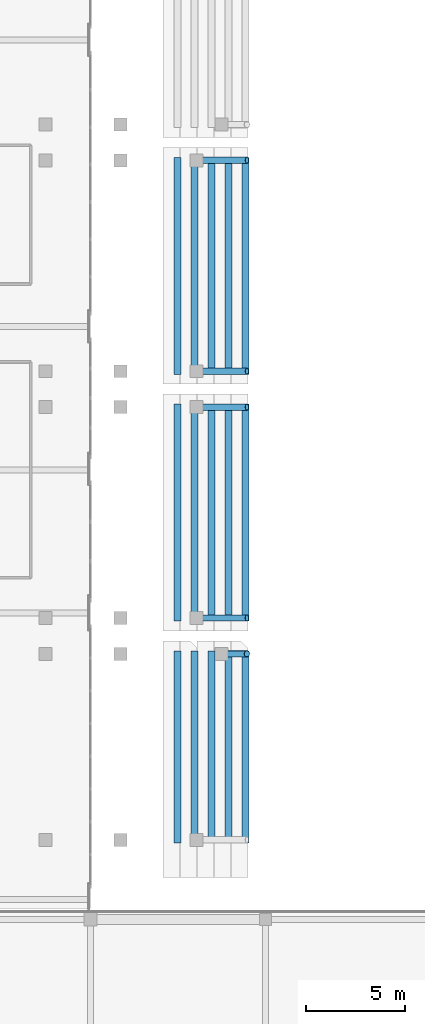
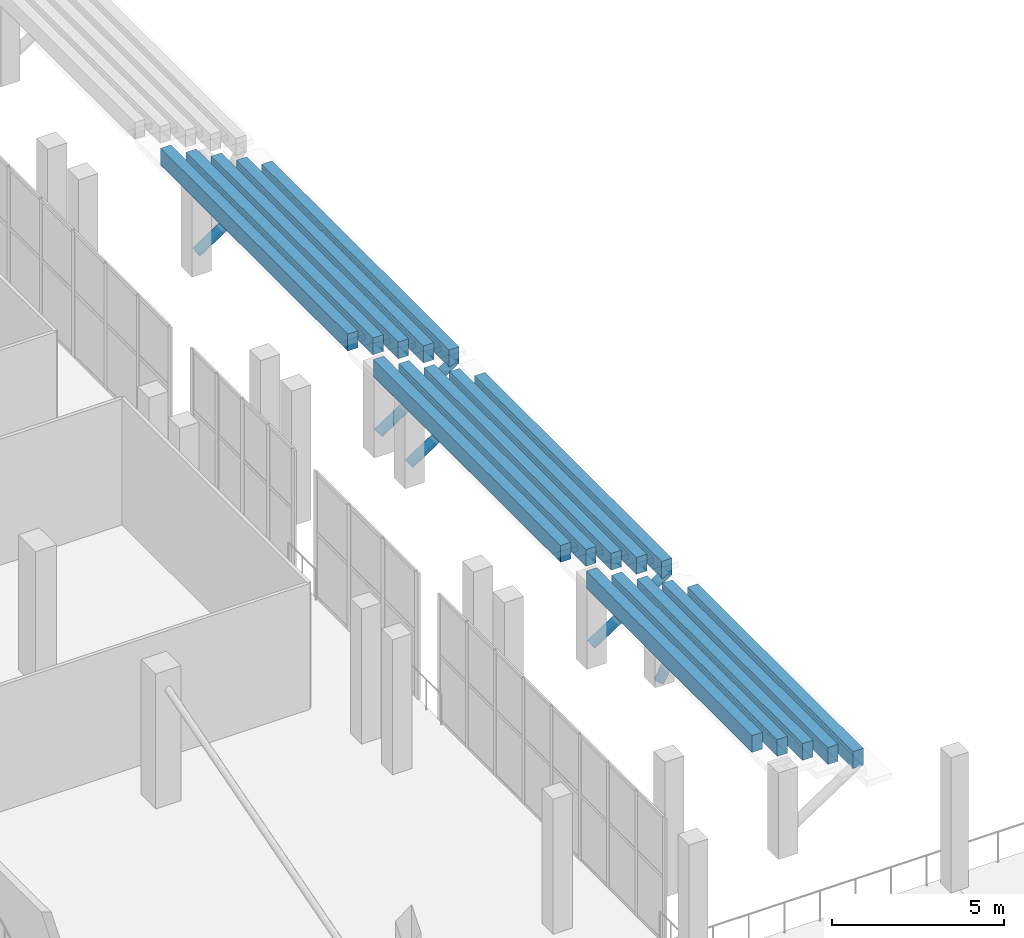
# One storey, part 27 of 142: 15 beams, 5 members.
"""IFC4 building model written with IfcOpenShell, lengths in metres."""

from ifc_helpers import new_model, si_unit, direction, frame, origin, origin_2d, place, context, subcontext, project, spatial, rectangle, hollow_circle, extrude, material, material_profile, profile_set, type_object, element, save


model = new_model("IFC4")

# Units and contexts
model_context = context("Model", 3, precision=1e-05, world=origin(), true_north=direction((0.0, 1.0)))
body_context = subcontext(model_context, "Body", "Model", "MODEL_VIEW")
ifc_project = project(units=[si_unit("LENGTHUNIT", "METRE"), si_unit("AREAUNIT", "SQUARE_METRE"), si_unit("VOLUMEUNIT", "CUBIC_METRE"), si_unit("PLANEANGLEUNIT", "RADIAN"), si_unit("MASSUNIT", "GRAM", prefix="KILO")], contexts=[model_context])

# Site, building, storey
site_placement = place(None, origin())
site = spatial("IfcSite", under=ifc_project, at=site_placement, CompositionType="ELEMENT")
building_placement = place(site_placement, origin())
building = spatial("IfcBuilding", under=site, at=building_placement, Name="Koshinbarg Plaza Stadium", CompositionType="ELEMENT")
storey_placement = place(building_placement, frame((0.0, 0.0, 10.199951171875)))
storey = spatial("IfcBuildingStorey", under=building, at=storey_placement, Name="L02", CompositionType="ELEMENT", Elevation=10.199951171875)

# Beams
ifc_material_1 = material(Name="Concrete C40/50", Category="concrete")
ifc_material_profile_1 = material_profile(ifc_material_1, rectangle(XDim=0.35009765625, YDim=0.60009765625, at=origin_2d()), Name="RC 350x600")
ifc_profile_set_1 = profile_set([ifc_material_profile_1], Name="Concrete C40/50")
beam_type = type_object("IfcBeamType", Name="BM-RCG-01", PredefinedType="SPANDREL", material=ifc_profile_set_1)
for number, where, z_axis, x_axis, name in (
    (1, (71.3798828125, 28.35009765625, 2.52001953125), (0.0, 1.0, 0.0), (-1.0, 0.0, 0.0), "Upper tier seat bearer UT-W01-R01"),
    (2, (70.530029296875, 28.35009765625, 2.9599609375), (0.0, 1.0, 0.0), (-1.0, 0.0, 0.0), "Upper tier seat bearer UT-W01-R02"),
    (3, (69.679931640625, 28.35009765625, 3.400146484375), (0.0, 1.0, 0.0), (-1.0, 0.0, 0.0), "Upper tier seat bearer UT-W01-R03"),
    (4, (68.830078125, 28.35009765625, 3.840087890625), (0.0, 1.0, 0.0), (-1.0, 0.0, 0.0), "Upper tier seat bearer UT-W01-R04"),
    (5, (67.97998046875, 28.35009765625, 4.280029296875), (0.0, 1.0, 0.0), (-1.0, 0.0, 0.0), "Upper tier seat bearer UT-W01-R05"),
):
    element("IfcBeam", number, at=place(storey_placement, frame(where, z_axis=z_axis, x_axis=x_axis)), inside=storey, type_object=beam_type, Name=name, PredefinedType="SPANDREL", context=body_context, shape_type="SweptSolid", body=[
        extrude(rectangle(XDim=0.35009765625, YDim=0.60009765625, at=origin_2d()), origin(), (0.0, 0.0, 1.0), 9.64990234375),
    ])
for number, where, z_axis, x_axis, name in (
    (6, (71.3798828125, 39.5, 2.52001953125), (0.0, 1.0, 0.0), (-1.0, 0.0, 0.0), "Upper tier seat bearer UT-W02-R01"),
    (7, (70.530029296875, 39.5, 2.9599609375), (0.0, 1.0, 0.0), (-1.0, 0.0, 0.0), "Upper tier seat bearer UT-W02-R02"),
    (8, (69.679931640625, 39.5, 3.400146484375), (0.0, 1.0, 0.0), (-1.0, 0.0, 0.0), "Upper tier seat bearer UT-W02-R03"),
    (9, (68.830078125, 39.5, 3.840087890625), (0.0, 1.0, 0.0), (-1.0, 0.0, 0.0), "Upper tier seat bearer UT-W02-R04"),
    (10, (67.97998046875, 39.5, 4.280029296875), (0.0, 1.0, 0.0), (-1.0, 0.0, 0.0), "Upper tier seat bearer UT-W02-R05"),
):
    element("IfcBeam", number, at=place(storey_placement, frame(where, z_axis=z_axis, x_axis=x_axis)), inside=storey, type_object=beam_type, Name=name, PredefinedType="SPANDREL", context=body_context, shape_type="SweptSolid", body=[
        extrude(rectangle(XDim=0.35009765625, YDim=0.60009765625, at=origin_2d()), origin(), (0.0, 0.0, 1.0), 10.89990234375),
    ])
for number, where, z_axis, x_axis, name in (
    (11, (71.3798828125, 51.89990234375, 2.52001953125), (0.0, 1.0, 0.0), (-1.0, 0.0, 0.0), "Upper tier seat bearer UT-W03-R01"),
    (12, (70.530029296875, 51.89990234375, 2.9599609375), (0.0, 1.0, 0.0), (-1.0, 0.0, 0.0), "Upper tier seat bearer UT-W03-R02"),
    (13, (69.679931640625, 51.89990234375, 3.400146484375), (0.0, 1.0, 0.0), (-1.0, 0.0, 0.0), "Upper tier seat bearer UT-W03-R03"),
    (14, (68.830078125, 51.89990234375, 3.840087890625), (0.0, 1.0, 0.0), (-1.0, 0.0, 0.0), "Upper tier seat bearer UT-W03-R04"),
    (15, (67.97998046875, 51.89990234375, 4.280029296875), (0.0, 1.0, 0.0), (-1.0, 0.0, 0.0), "Upper tier seat bearer UT-W03-R05"),
):
    element("IfcBeam", number, at=place(storey_placement, frame(where, z_axis=z_axis, x_axis=x_axis)), inside=storey, type_object=beam_type, Name=name, PredefinedType="SPANDREL", context=body_context, shape_type="SweptSolid", body=[
        extrude(rectangle(XDim=0.35009765625, YDim=0.60009765625, at=origin_2d()), origin(), (0.0, 0.0, 1.0), 10.900146484375),
    ])

# Members
ifc_material_2 = material(Name="Steel S355", Category="steel")
ifc_material_profile_2 = material_profile(ifc_material_2, hollow_circle(Radius=0.161865234375, WallThickness=0.01416015625, at=origin_2d()), Name="CHS 323.9x14.2")
ifc_profile_set_2 = profile_set([ifc_material_profile_2], Name="Steel S355")
member_type = type_object("IfcMemberType", Name="MB-BRACE-01", PredefinedType="BRACE", material=ifc_profile_set_2)
member_placement = place(storey_placement, frame((70.169921875, 37.85009765625, -0.061279296875), z_axis=(0.486236612152, 0.0, 0.873827189439), x_axis=(0.0, 1.0, 0.0)))
element("IfcMember", 16, at=member_placement, inside=storey, type_object=member_type, Name="Upper tier cantilever knee strut UT-W01-R", PredefinedType="BRACE", context=body_context, shape_type="SweptSolid", body=[
    extrude(hollow_circle(Radius=0.161865234375, WallThickness=0.01416015625, at=origin_2d()), origin(), (0.0, 0.0, 1.0), 2.653076171875),
])
for number, where, z_axis, x_axis, name in (
    (17, (68.919921875, 39.64990234375, 0.582763671875), (0.8349280335, 0.0, 0.550359136269), (0.0, 1.0, 0.0), "Upper tier cantilever knee strut UT-W02-L"),
    (18, (68.919921875, 50.25, 0.582763671875), (0.8349280335, 0.0, 0.550359136269), (0.0, 1.0, 0.0), "Upper tier cantilever knee strut UT-W02-R"),
    (19, (68.919921875, 52.050048828125, 0.582763671875), (0.8349280335, 0.0, 0.550359136269), (0.0, 1.0, 0.0), "Upper tier cantilever knee strut UT-W03-L"),
    (20, (68.919921875, 62.64990234375, 0.582763671875), (0.8349280335, 0.0, 0.550359136269), (0.0, 1.0, 0.0), "Upper tier cantilever knee strut UT-W03-R"),
):
    element("IfcMember", number, at=place(storey_placement, frame(where, z_axis=z_axis, x_axis=x_axis)), inside=storey, type_object=member_type, Name=name, PredefinedType="BRACE", context=body_context, shape_type="SweptSolid", body=[
        extrude(hollow_circle(Radius=0.161865234375, WallThickness=0.01416015625, at=origin_2d()), origin(), (0.0, 0.0, 1.0), 3.042236328125),
    ])

save(model, "model.ifc")
